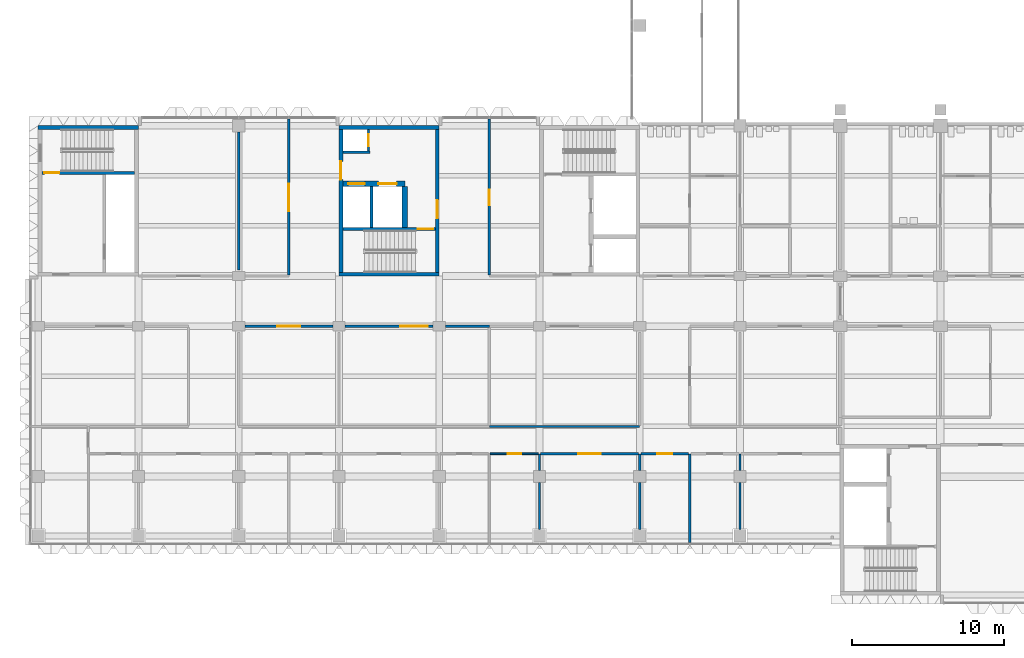
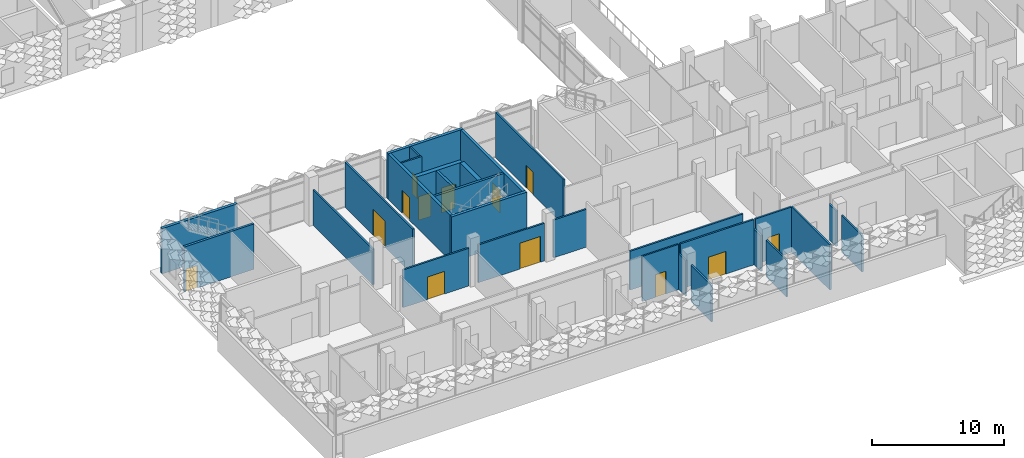
# One storey, part 41 of 102: 29 walls, 14 doors, 14 openings.
"""IFC4 building model written with IfcOpenShell, lengths in metres."""

import ifcopenshell
import ifcopenshell.guid

model = None  # the IFC model being written
_history = None  # IfcOwnerHistory: only IFC2X3 demands one
_inside = {}  # id of a spatial element -> (the spatial element, [elements in it])
_under = {}  # id of a project, library or spatial element -> (it, [spatial elements below it])
_declared = {}  # id of a project -> (the project, [libraries it declares])
_typed = {}  # id of a type object -> (the type object, [elements of that type])
_made_of = {}  # id of a material, layer set ... -> (it, [elements and type objects made of it])


def new_model(schema):
    """Start an empty IFC model of exactly this schema.

    Asked for "IFC4X3", IfcOpenShell would pick the latest addendum, in which some entities
    have other attributes; the version numbers below select the first issue.
    IFC2X3 requires an IfcOwnerHistory on every rooted entity: one is made here for all.
    """
    global model, _history
    if schema == "IFC4X3":
        model = ifcopenshell.file(schema_version=(4, 3, 0, 0))
    else:
        model = ifcopenshell.file(schema=schema)
    _inside.clear()
    _under.clear()
    _declared.clear()
    _typed.clear()
    _made_of.clear()
    _history = None
    if model.schema == "IFC2X3":
        org = make("IfcOrganization", Name="unknown")
        user = make(
            "IfcPersonAndOrganization",
            ThePerson=make("IfcPerson", FamilyName="unknown"),
            TheOrganization=org,
        )
        app = make(
            "IfcApplication",
            ApplicationDeveloper=org,
            Version="unknown",
            ApplicationFullName="unknown",
            ApplicationIdentifier="unknown",
        )
        _history = make(
            "IfcOwnerHistory",
            OwningUser=user,
            OwningApplication=app,
            ChangeAction="ADDED",
            CreationDate=0,
        )
    return model


def make(cls, **values):
    """One entity of the class cls with the attributes given. An attribute that is None is left unset."""
    return model.create_entity(
        cls, **{name: value for name, value in values.items() if value is not None}
    )


def rooted(cls, **values):
    """An entity with a GlobalId (a new one), such as an element, a storey or a relation."""
    return make(cls, GlobalId=ifcopenshell.guid.new(), OwnerHistory=_history, **values)


def si_unit(unit_type, name, prefix=None):
    """IfcSIUnit, for example si_unit("LENGTHUNIT", "METRE", prefix="MILLI")."""
    return make("IfcSIUnit", UnitType=unit_type, Prefix=prefix, Name=name)


def assignment(units):
    """IfcUnitAssignment: the units of a project."""
    return None if units is None else make("IfcUnitAssignment", Units=units)


def point(xyz):
    """IfcCartesianPoint."""
    return None if xyz is None else make("IfcCartesianPoint", Coordinates=xyz)


def direction(xyz):
    """IfcDirection."""
    return None if xyz is None else make("IfcDirection", DirectionRatios=xyz)


def frame(location, z_axis=None, x_axis=None):
    """IfcAxis2Placement3D, a coordinate frame: its origin and axes. An axis left out is left unset."""
    return make(
        "IfcAxis2Placement3D",
        Location=point(location),
        Axis=direction(z_axis),
        RefDirection=direction(x_axis),
    )


def frame_2d(location, x_axis=None):
    """IfcAxis2Placement2D, a coordinate frame in the plane: its origin and x axis."""
    return make(
        "IfcAxis2Placement2D", Location=point(location), RefDirection=direction(x_axis)
    )


def origin():
    """The frame at (0, 0, 0) with its axes left unset."""
    return frame((0.0, 0.0, 0.0))


def place(relative_to, where):
    """IfcLocalPlacement: puts the frame where relative to a parent placement (None: the world)."""
    return make(
        "IfcLocalPlacement", PlacementRelTo=relative_to, RelativePlacement=where
    )


def context(
    kind, dimensions, precision=None, world=None, true_north=None, identifier=None
):
    """IfcGeometricRepresentationContext, for example the 3D "Model" context."""
    return make(
        "IfcGeometricRepresentationContext",
        ContextIdentifier=identifier,
        ContextType=kind,
        CoordinateSpaceDimension=dimensions,
        Precision=precision,
        WorldCoordinateSystem=world,
        TrueNorth=true_north,
    )


def subcontext(parent, identifier, kind, view, scale=None):
    """IfcGeometricRepresentationSubContext, for example "Body" below "Model"."""
    return make(
        "IfcGeometricRepresentationSubContext",
        ContextIdentifier=identifier,
        ContextType=kind,
        ParentContext=parent,
        TargetScale=scale,
        TargetView=view,
    )


def project(units=None, contexts=None):
    """IfcProject with its units and contexts."""
    return rooted(
        "IfcProject",
        Name="project",
        RepresentationContexts=contexts,
        UnitsInContext=assignment(units),
    )


def spatial(cls, under=None, at=None, **own):
    """A site, building, storey or space (cls), placed at a placement, below another one or the project."""
    s = rooted(cls, ObjectPlacement=at, **own)
    if under is not None:
        _under.setdefault(under.id(), (under, []))[1].append(s)
    return s


def profile(cls, at=None, kind="AREA", **sizes):
    """A parametric profile (cls). Its sizes go by their IFC names, for example OverallWidth=200.0."""
    return make(cls, ProfileType=kind, Position=at, **sizes)


def rectangle(**sizes):
    """IfcRectangleProfileDef."""
    return profile("IfcRectangleProfileDef", **sizes)


def extrude(swept, where, along, depth):
    """IfcExtrudedAreaSolid: the profile swept, set in the frame where, extruded along a direction by depth."""
    return make(
        "IfcExtrudedAreaSolid",
        SweptArea=swept,
        Position=where,
        ExtrudedDirection=direction(along),
        Depth=depth,
    )


def shape(context_of_items, identifier, shape_type, items):
    """IfcShapeRepresentation: the items that make up one representation, for example the "Body"."""
    return make(
        "IfcShapeRepresentation",
        ContextOfItems=context_of_items,
        RepresentationIdentifier=identifier,
        RepresentationType=shape_type,
        Items=items,
    )


def material(Name=None, Category=None):
    """IfcMaterial."""
    return make("IfcMaterial", Name=Name, Category=Category)


def layer(
    of_material, thickness, ventilated=None, Name=None, Category=None, Priority=None
):
    """IfcMaterialLayer: one layer of a wall or slab, of a material (None: an air gap)."""
    return make(
        "IfcMaterialLayer",
        Material=of_material,
        LayerThickness=thickness,
        IsVentilated=ventilated,
        Name=Name,
        Category=Category,
        Priority=Priority,
    )


def layer_set(layers, Name=None):
    """IfcMaterialLayerSet."""
    return make("IfcMaterialLayerSet", MaterialLayers=layers, LayerSetName=Name)


def made_of(thing, what):
    """Note that an element or type object is made of a material, layer set ...; save() writes the relation."""
    if what is not None:
        _made_of.setdefault(what.id(), (what, []))[1].append(thing)
    return thing


def type_object(cls, material=None, **own):
    """A type object (cls), such as IfcWallType, which elements share."""
    return made_of(rooted(cls, **own), material)


def element(
    cls,
    number,
    at=None,
    inside=None,
    cuts=None,
    type_object=None,
    material=None,
    context=None,
    identifier="Body",
    shape_type=None,
    held_by="IfcProductDefinitionShape",
    body=None,
    shapes=None,
    **own,
):
    """One element of the class cls, such as IfcWall. Its Tag is "e" and its number.

    at: its placement. inside: the storey or other place that contains it. cuts: it is an
    opening in that element (IfcRelVoidsElement). A single representation is given by context,
    identifier, shape_type and body (its items); several are given by shapes. held_by: the class
    of the entity that holds the representations. save() writes the other relations.
    """
    e = rooted(cls, Tag="e%d" % number, ObjectPlacement=at, **own)
    if body is not None:
        shapes = [shape(context, identifier, shape_type, body)]
    if shapes is not None:
        e.Representation = make(held_by, Representations=shapes)
    if inside is not None:
        _inside.setdefault(inside.id(), (inside, []))[1].append(e)
    if cuts is not None:
        rooted(
            "IfcRelVoidsElement", RelatingBuildingElement=cuts, RelatedOpeningElement=e
        )
    if type_object is not None:
        _typed.setdefault(type_object.id(), (type_object, []))[1].append(e)
    return made_of(e, material)


def fill(opening, filler):
    """IfcRelFillsElement: the door or window that sits in an opening."""
    return rooted(
        "IfcRelFillsElement",
        RelatingOpeningElement=opening,
        RelatedBuildingElement=filler,
    )


def aggregate(whole, parts):
    """IfcRelAggregates: a whole, such as a stair, and the parts it consists of."""
    return rooted("IfcRelAggregates", RelatingObject=whole, RelatedObjects=parts)


def save(model, path):
    """Write the relations noted so far, then the file.

    IfcRelAggregates (storeys below a building ...), IfcRelContainedInSpatialStructure (elements
    in a storey), IfcRelDefinesByType, IfcRelAssociatesMaterial and IfcRelDeclares: one each for
    every whole, place, type object, material and project.
    """
    for whole, parts in _under.values():
        aggregate(whole, parts)
    for where, things in _inside.values():
        rooted(
            "IfcRelContainedInSpatialStructure",
            RelatedElements=things,
            RelatingStructure=where,
        )
    for kind, things in _typed.values():
        rooted("IfcRelDefinesByType", RelatedObjects=things, RelatingType=kind)
    for what, things in _made_of.values():
        rooted("IfcRelAssociatesMaterial", RelatedObjects=things, RelatingMaterial=what)
    for by, libraries in _declared.values():
        rooted("IfcRelDeclares", RelatingContext=by, RelatedDefinitions=libraries)
    model.write(path)


model = new_model("IFC4")

# Units and contexts
model_context = context("Model", 3, precision=1e-05, world=origin(), true_north=direction((0.0, 1.0)))
body_context = subcontext(model_context, "Body", "Model", "MODEL_VIEW")
ifc_project = project(units=[si_unit("LENGTHUNIT", "METRE"), si_unit("AREAUNIT", "SQUARE_METRE"), si_unit("VOLUMEUNIT", "CUBIC_METRE"), si_unit("PLANEANGLEUNIT", "RADIAN"), si_unit("MASSUNIT", "GRAM", prefix="KILO")], contexts=[model_context])

# Site, building, storey
site_placement = place(None, origin())
site = spatial("IfcSite", under=ifc_project, at=site_placement, CompositionType="ELEMENT")
building_placement = place(site_placement, origin())
building = spatial("IfcBuilding", under=site, at=building_placement, Name="Lantern Court Research Institute", CompositionType="ELEMENT")
storey_placement = place(building_placement, frame((0.0, 0.0, 9.89990234375)))
storey = spatial("IfcBuildingStorey", under=building, at=storey_placement, Name="L02", CompositionType="ELEMENT", Elevation=9.89990234375)

# Wall, opening, door
ifc_material_1 = material(Name="Fire-rated gypsum board partition, mineral wool filled")
ifc_layer_1 = layer(ifc_material_1, 0.125)
ifc_layer_set_1 = layer_set([ifc_layer_1], Name="Fire-rated gypsum board partition, mineral wool filled")
wall_type_1 = type_object("IfcWallType", Name="Corridor partition 125 EI 60", PredefinedType="PARTITIONING", material=ifc_layer_set_1)
wall_1_placement = place(storey_placement, frame((32.925048828125, 1.5, 0.0), z_axis=(0.0, 0.0, 1.0), x_axis=(-1.0, 0.0, 0.0)))
wall_1 = element("IfcWall", 1, at=wall_1_placement, inside=storey, type_object=wall_type_1, Name="Corridor partition 125 EI 60", PredefinedType="PARTITIONING", context=body_context, shape_type="SweptSolid", body=[
    extrude(rectangle(XDim=3.170166015625, YDim=0.125, at=frame_2d((1.5849609375, 0.0))), origin(), (0.0, 0.0, 1.0), 4.2001953125),
])
opening_1_placement = place(wall_1_placement, frame((1.125, 0.0, 0.0)))
opening_1 = element("IfcOpeningElement", 2, at=opening_1_placement, cuts=wall_1, Name="Opening D4219", PredefinedType="OPENING", context=body_context, shape_type="SweptSolid", body=[
    extrude(rectangle(XDim=0.89990234375, YDim=2.10009765625, at=frame_2d((0.449951171875, 1.050048828125))), frame((0.0, 0.072509765625, 0.0), z_axis=(0.0, -1.0, 0.0), x_axis=(1.0, 0.0, 0.0)), (0.0, 0.0, 1.0), 0.14501953125),
])
ifc_material_2 = material(Name="Solid-core timber door leaf", Category="wood")
ifc_layer_2 = layer(ifc_material_2, 0.053955078125)
ifc_layer_set_2 = layer_set([ifc_layer_2], Name="Solid-core timber door leaf")
door_type_1 = type_object("IfcDoorType", Name="Office door 900 x 2100 single FD30S", OperationType="NOTDEFINED", PredefinedType="DOOR", material=ifc_layer_set_2)
door_1_placement = place(opening_1_placement, origin())
door_1 = element("IfcDoor", 3, at=door_1_placement, inside=storey, type_object=door_type_1, Name="Door D4219", OperationType="SINGLE_SWING_LEFT", OverallHeight=2.10009765625, OverallWidth=0.89990234375, PredefinedType="DOOR", context=body_context, shape_type="SweptSolid", body=[
    extrude(rectangle(XDim=0.89990234375, YDim=2.10009765625, at=frame_2d((0.449951171875, 1.050048828125))), frame((0.0, 0.02685546875, 0.0), z_axis=(0.0, -1.0, 0.0), x_axis=(1.0, 0.0, 0.0)), (0.0, 0.0, 1.0), 0.053955078125),
])
fill(opening_1, door_1)

ifc_material_3 = material(Name="Fire-rated gypsum board partition, mineral wool filled")
ifc_layer_3 = layer(ifc_material_3, 0.14990234375)
ifc_layer_set_3 = layer_set([ifc_layer_3], Name="Fire-rated gypsum board partition, mineral wool filled")
wall_type_2 = type_object("IfcWallType", Name="Laboratory partition 150 EI 60", PredefinedType="PARTITIONING", material=ifc_layer_set_3)
wall_2_placement = place(storey_placement, frame((13.60009765625, 9.89990234375, 0.0), z_axis=(0.0, 0.0, 1.0), x_axis=(1.0, 0.0, 0.0)))
wall_2 = element("IfcWall", 4, at=wall_2_placement, inside=storey, type_object=wall_type_2, Name="Laboratory partition 150 EI 60", PredefinedType="PARTITIONING", context=body_context, shape_type="SweptSolid", body=[
    extrude(rectangle(XDim=5.7998046875, YDim=0.14990234375, at=frame_2d((2.89990234375, 0.0))), origin(), (0.0, 0.0, 1.0), 3.5),
])
opening_2_placement = place(wall_2_placement, frame((2.14990234375, 0.0, 0.0)))
opening_2 = element("IfcOpeningElement", 5, at=opening_2_placement, cuts=wall_2, Name="Opening D4225", PredefinedType="OPENING", context=body_context, shape_type="SweptSolid", body=[
    extrude(rectangle(XDim=1.5, YDim=2.10009765625, at=frame_2d((0.75, 1.050048828125))), frame((0.0, 0.0849609375, 0.0), z_axis=(0.0, -1.0, 0.0), x_axis=(1.0, 0.0, 0.0)), (0.0, 0.0, 1.0), 0.169921875),
])
ifc_material_4 = material(Name="Solid-core timber door leaf with vision panel", Category="wood")
ifc_layer_4 = layer(ifc_material_4, 0.053955078125)
ifc_layer_set_4 = layer_set([ifc_layer_4], Name="Solid-core timber door leaf with vision panel")
door_type_2 = type_object("IfcDoorType", Name="Laboratory double door 1500 x 2100 pair FD30S", OperationType="DOUBLE_DOOR_SINGLE_SWING", PredefinedType="DOOR", material=ifc_layer_set_4)
door_2_placement = place(opening_2_placement, origin())
door_2 = element("IfcDoor", 6, at=door_2_placement, inside=storey, type_object=door_type_2, Name="Door D4225", OperationType="DOUBLE_DOOR_SINGLE_SWING", OverallHeight=2.10009765625, OverallWidth=1.5, PredefinedType="DOOR", context=body_context, shape_type="SweptSolid", body=[
    extrude(rectangle(XDim=1.5, YDim=2.10009765625, at=frame_2d((0.75, 1.050048828125))), frame((0.0, 0.02685546875, 0.0), z_axis=(0.0, -1.0, 0.0), x_axis=(1.0, 0.0, 0.0)), (0.0, 0.0, 1.0), 0.053955078125),
])
fill(opening_2, door_2)

wall_3_placement = place(storey_placement, frame((20.199951171875, 9.89990234375, 0.0), z_axis=(0.0, 0.0, 1.0), x_axis=(1.0, 0.0, 0.0)))
wall_3 = element("IfcWall", 7, at=wall_3_placement, inside=storey, type_object=wall_type_2, Name="Laboratory partition 150 EI 60", PredefinedType="PARTITIONING", context=body_context, shape_type="SweptSolid", body=[
    extrude(rectangle(XDim=5.800048828125, YDim=0.14990234375, at=frame_2d((2.89990234375, 0.0))), origin(), (0.0, 0.0, 1.0), 3.5),
])
opening_3_placement = place(wall_3_placement, frame((3.64990234375, 0.0, 0.0)))
opening_3 = element("IfcOpeningElement", 8, at=opening_3_placement, cuts=wall_3, Name="Opening D4226", PredefinedType="OPENING", context=body_context, shape_type="SweptSolid", body=[
    extrude(rectangle(XDim=1.800048828125, YDim=2.39990234375, at=frame_2d((0.89990234375, 1.199951171875))), frame((0.0, 0.0849609375, 0.0), z_axis=(0.0, -1.0, 0.0), x_axis=(1.0, 0.0, 0.0)), (0.0, 0.0, 1.0), 0.169921875),
])
ifc_material_5 = material(Name="Solid-core timber door leaf with vision panel", Category="wood")
ifc_layer_5 = layer(ifc_material_5, 0.053955078125)
ifc_layer_set_5 = layer_set([ifc_layer_5], Name="Solid-core timber door leaf with vision panel")
door_type_3 = type_object("IfcDoorType", Name="Laboratory equipment door 1800 x 2400 pair FD30S", OperationType="DOUBLE_DOOR_SINGLE_SWING", PredefinedType="DOOR", material=ifc_layer_set_5)
door_3_placement = place(opening_3_placement, origin())
door_3 = element("IfcDoor", 9, at=door_3_placement, inside=storey, type_object=door_type_3, Name="Door D4226", OperationType="DOUBLE_DOOR_SINGLE_SWING", OverallHeight=2.39990234375, OverallWidth=1.800048828125, PredefinedType="DOOR", context=body_context, shape_type="SweptSolid", body=[
    extrude(rectangle(XDim=1.800048828125, YDim=2.39990234375, at=frame_2d((0.89990234375, 1.199951171875))), frame((0.0, 0.02685546875, 0.0), z_axis=(0.0, -1.0, 0.0), x_axis=(1.0, 0.0, 0.0)), (0.0, 0.0, 1.0), 0.053955078125),
])
fill(opening_3, door_3)

# Walls
wall_4_placement = place(storey_placement, frame((26.800048828125, 9.89990234375, 0.0), z_axis=(0.0, 0.0, 1.0), x_axis=(1.0, 0.0, 0.0)))
element("IfcWall", 10, at=wall_4_placement, inside=storey, type_object=wall_type_2, Name="Laboratory partition 150 EI 60", PredefinedType="PARTITIONING", context=body_context, shape_type="SweptSolid", body=[
    extrude(rectangle(XDim=2.89990234375, YDim=0.14990234375, at=frame_2d((1.449951171875, 0.0))), origin(), (0.0, 0.0, 1.0), 3.5),
])
wall_5_placement = place(storey_placement, frame((13.199951171875, 13.60009765625, 0.0), z_axis=(0.0, 0.0, 1.0), x_axis=(0.0, 1.0, 0.0)))
element("IfcWall", 11, at=wall_5_placement, inside=storey, type_object=wall_type_2, Name="Laboratory partition 150 EI 60", PredefinedType="PARTITIONING", context=body_context, shape_type="SweptSolid", body=[
    extrude(rectangle(XDim=9.099853515625, YDim=0.14990234375, at=frame_2d((4.5498046875, 0.0))), origin(), (0.0, 0.0, 1.0), 3.300048828125),
])

# Wall, opening, door
wall_6_placement = place(storey_placement, frame((16.5, 23.550048828125, 0.0), z_axis=(0.0, 0.0, 1.0), x_axis=(0.0, -1.0, 0.0)))
wall_6 = element("IfcWall", 12, at=wall_6_placement, inside=storey, type_object=wall_type_2, Name="Laboratory partition 150 EI 60", PredefinedType="PARTITIONING", context=body_context, shape_type="SweptSolid", body=[
    extrude(rectangle(XDim=10.275146484375, YDim=0.14990234375, at=frame_2d((5.1376953125, 0.0))), origin(), (0.0, 0.0, 1.0), 4.2001953125),
])
opening_4_placement = place(wall_6_placement, frame((4.27490234375, 0.0, 0.0)))
opening_4 = element("IfcOpeningElement", 13, at=opening_4_placement, cuts=wall_6, Name="Opening D4203", PredefinedType="OPENING", context=body_context, shape_type="SweptSolid", body=[
    extrude(rectangle(XDim=1.800048828125, YDim=2.39990234375, at=frame_2d((0.89990234375, 1.199951171875))), frame((0.0, 0.0849609375, 0.0), z_axis=(0.0, -1.0, 0.0), x_axis=(1.0, 0.0, 0.0)), (0.0, 0.0, 1.0), 0.169921875),
])
door_4_placement = place(opening_4_placement, origin())
door_4 = element("IfcDoor", 14, at=door_4_placement, inside=storey, type_object=door_type_3, Name="Door D4203", OperationType="DOUBLE_DOOR_SINGLE_SWING", OverallHeight=2.39990234375, OverallWidth=1.800048828125, PredefinedType="DOOR", context=body_context, shape_type="SweptSolid", body=[
    extrude(rectangle(XDim=1.800048828125, YDim=2.39990234375, at=frame_2d((0.89990234375, 1.199951171875))), frame((0.0, 0.02685546875, 0.0), z_axis=(0.0, -1.0, 0.0), x_axis=(1.0, 0.0, 0.0)), (0.0, 0.0, 1.0), 0.053955078125),
])
fill(opening_4, door_4)

wall_7_placement = place(storey_placement, frame((29.699951171875, 13.27490234375, 0.0), z_axis=(0.0, 0.0, 1.0), x_axis=(0.0, 1.0, 0.0)))
wall_7 = element("IfcWall", 15, at=wall_7_placement, inside=storey, type_object=wall_type_2, Name="Laboratory partition 150 EI 60", PredefinedType="PARTITIONING", context=body_context, shape_type="SweptSolid", body=[
    extrude(rectangle(XDim=10.275146484375, YDim=0.14990234375, at=frame_2d((5.1376953125, 0.0))), origin(), (0.0, 0.0, 1.0), 4.2001953125),
])
opening_5_placement = place(wall_7_placement, frame((4.60009765625, 0.0, 0.0)))
opening_5 = element("IfcOpeningElement", 16, at=opening_5_placement, cuts=wall_7, Name="Opening D4204", PredefinedType="OPENING", context=body_context, shape_type="SweptSolid", body=[
    extrude(rectangle(XDim=1.0, YDim=2.10009765625, at=frame_2d((0.5, 1.050048828125))), frame((0.0, 0.0849609375, 0.0), z_axis=(0.0, -1.0, 0.0), x_axis=(1.0, 0.0, 0.0)), (0.0, 0.0, 1.0), 0.169921875),
])
ifc_material_6 = material(Name="Solid-core timber door leaf", Category="wood")
ifc_layer_6 = layer(ifc_material_6, 0.053955078125)
ifc_layer_set_6 = layer_set([ifc_layer_6], Name="Solid-core timber door leaf")
door_type_4 = type_object("IfcDoorType", Name="Autoclave room door 1000 x 2100 single FD30S", OperationType="NOTDEFINED", PredefinedType="DOOR", material=ifc_layer_set_6)
door_5_placement = place(opening_5_placement, origin())
door_5 = element("IfcDoor", 17, at=door_5_placement, inside=storey, type_object=door_type_4, Name="Door D4204", OperationType="SINGLE_SWING_LEFT", OverallHeight=2.10009765625, OverallWidth=1.0, PredefinedType="DOOR", context=body_context, shape_type="SweptSolid", body=[
    extrude(rectangle(XDim=1.0, YDim=2.10009765625, at=frame_2d((0.5, 1.050048828125))), frame((0.0, 0.02685546875, 0.0), z_axis=(0.0, -1.0, 0.0), x_axis=(1.0, 0.0, 0.0)), (0.0, 0.0, 1.0), 0.053955078125),
])
fill(opening_5, door_5)

# Walls
wall_8_placement = place(storey_placement, frame((33.0, -3.5, 0.0), z_axis=(0.0, 0.0, 1.0), x_axis=(0.0, 1.0, 0.0)))
element("IfcWall", 18, at=wall_8_placement, inside=storey, type_object=wall_type_2, Name="Laboratory partition 150 EI 60", PredefinedType="PARTITIONING", context=body_context, shape_type="SweptSolid", body=[
    extrude(rectangle(XDim=3.10009765625, YDim=0.14990234375, at=frame_2d((1.550048828125, 0.0))), origin(), (0.0, 0.0, 1.0), 3.400146484375),
])
wall_9_placement = place(storey_placement, frame((33.0, 0.39990234375, 0.0), z_axis=(0.0, 0.0, 1.0), x_axis=(0.0, 1.0, 0.0)))
element("IfcWall", 19, at=wall_9_placement, inside=storey, type_object=wall_type_2, Name="Laboratory partition 150 EI 60", PredefinedType="PARTITIONING", context=body_context, shape_type="SweptSolid", body=[
    extrude(rectangle(XDim=1.10009765625, YDim=0.14990234375, at=frame_2d((0.550048828125, 0.0))), origin(), (0.0, 0.0, 1.0), 3.300048828125),
])
wall_10_placement = place(storey_placement, frame((39.60009765625, -3.5, 0.0), z_axis=(0.0, 0.0, 1.0), x_axis=(0.0, 1.0, 0.0)))
element("IfcWall", 20, at=wall_10_placement, inside=storey, type_object=wall_type_2, Name="Laboratory partition 150 EI 60", PredefinedType="PARTITIONING", context=body_context, shape_type="SweptSolid", body=[
    extrude(rectangle(XDim=3.10009765625, YDim=0.14990234375, at=frame_2d((1.550048828125, 0.0))), origin(), (0.0, 0.0, 1.0), 3.400146484375),
])
wall_11_placement = place(storey_placement, frame((39.60009765625, 0.39990234375, 0.0), z_axis=(0.0, 0.0, 1.0), x_axis=(0.0, 1.0, 0.0)))
element("IfcWall", 21, at=wall_11_placement, inside=storey, type_object=wall_type_2, Name="Laboratory partition 150 EI 60", PredefinedType="PARTITIONING", context=body_context, shape_type="SweptSolid", body=[
    extrude(rectangle(XDim=1.10009765625, YDim=0.14990234375, at=frame_2d((0.550048828125, 0.0))), origin(), (0.0, 0.0, 1.0), 3.300048828125),
])

# Wall, opening, door
wall_12_placement = place(storey_placement, frame((39.52490234375, 1.5, 0.0), z_axis=(0.0, 0.0, 1.0), x_axis=(-1.0, 0.0, 0.0)))
wall_12 = element("IfcWall", 22, at=wall_12_placement, inside=storey, type_object=wall_type_2, Name="Laboratory partition 150 EI 60", PredefinedType="PARTITIONING", context=body_context, shape_type="SweptSolid", body=[
    extrude(rectangle(XDim=6.449951171875, YDim=0.14990234375, at=frame_2d((3.22509765625, 0.0))), origin(), (0.0, 0.0, 1.0), 4.2001953125),
])
opening_6_placement = place(wall_12_placement, frame((2.47509765625, 0.0, 0.0)))
opening_6 = element("IfcOpeningElement", 23, at=opening_6_placement, cuts=wall_12, Name="Opening D4220", PredefinedType="OPENING", context=body_context, shape_type="SweptSolid", body=[
    extrude(rectangle(XDim=1.5, YDim=2.10009765625, at=frame_2d((0.75, 1.050048828125))), frame((0.0, 0.0849609375, 0.0), z_axis=(0.0, -1.0, 0.0), x_axis=(1.0, 0.0, 0.0)), (0.0, 0.0, 1.0), 0.169921875),
])
door_6_placement = place(opening_6_placement, origin())
door_6 = element("IfcDoor", 24, at=door_6_placement, inside=storey, type_object=door_type_2, Name="Door D4220", OperationType="DOUBLE_DOOR_SINGLE_SWING", OverallHeight=2.10009765625, OverallWidth=1.5, PredefinedType="DOOR", context=body_context, shape_type="SweptSolid", body=[
    extrude(rectangle(XDim=1.5, YDim=2.10009765625, at=frame_2d((0.75, 1.050048828125))), frame((0.0, 0.02685546875, 0.0), z_axis=(0.0, -1.0, 0.0), x_axis=(1.0, 0.0, 0.0)), (0.0, 0.0, 1.0), 0.053955078125),
])
fill(opening_6, door_6)

# Wall
wall_13_placement = place(storey_placement, frame((42.89990234375, -4.35009765625, 0.0), z_axis=(0.0, 0.0, 1.0), x_axis=(0.0, 1.0, 0.0)))
element("IfcWall", 25, at=wall_13_placement, inside=storey, type_object=wall_type_2, Name="Laboratory partition 150 EI 60", PredefinedType="PARTITIONING", context=body_context, shape_type="SweptSolid", body=[
    extrude(rectangle(XDim=5.85009765625, YDim=0.14990234375, at=frame_2d((2.925048828125, 0.0))), origin(), (0.0, 0.0, 1.0), 4.2001953125),
])

# Wall, opening, door
wall_14_placement = place(storey_placement, frame((42.824951171875, 1.5, 0.0), z_axis=(0.0, 0.0, 1.0), x_axis=(-1.0, 0.0, 0.0)))
wall_14 = element("IfcWall", 26, at=wall_14_placement, inside=storey, type_object=wall_type_2, Name="Laboratory partition 150 EI 60", PredefinedType="PARTITIONING", context=body_context, shape_type="SweptSolid", body=[
    extrude(rectangle(XDim=3.14990234375, YDim=0.14990234375, at=frame_2d((1.574951171875, 0.0))), origin(), (0.0, 0.0, 1.0), 4.2001953125),
])
opening_7_placement = place(wall_14_placement, frame((1.074951171875, 0.0, 0.0)))
opening_7 = element("IfcOpeningElement", 27, at=opening_7_placement, cuts=wall_14, Name="Opening D4221", PredefinedType="OPENING", context=body_context, shape_type="SweptSolid", body=[
    extrude(rectangle(XDim=1.0, YDim=2.10009765625, at=frame_2d((0.5, 1.050048828125))), frame((0.0, 0.0849609375, 0.0), z_axis=(0.0, -1.0, 0.0), x_axis=(1.0, 0.0, 0.0)), (0.0, 0.0, 1.0), 0.169921875),
])
ifc_material_7 = material(Name="Solid-core timber door leaf with vision panel", Category="wood")
ifc_layer_7 = layer(ifc_material_7, 0.053955078125)
ifc_layer_set_7 = layer_set([ifc_layer_7], Name="Solid-core timber door leaf with vision panel")
door_type_5 = type_object("IfcDoorType", Name="Laboratory door 1000 x 2100 single FD30S", OperationType="NOTDEFINED", PredefinedType="DOOR", material=ifc_layer_set_7)
door_7_placement = place(opening_7_placement, origin())
door_7 = element("IfcDoor", 28, at=door_7_placement, inside=storey, type_object=door_type_5, Name="Door D4221", OperationType="SINGLE_SWING_LEFT", OverallHeight=2.10009765625, OverallWidth=1.0, PredefinedType="DOOR", context=body_context, shape_type="SweptSolid", body=[
    extrude(rectangle(XDim=1.0, YDim=2.10009765625, at=frame_2d((0.5, 1.050048828125))), frame((0.0, 0.02685546875, 0.0), z_axis=(0.0, -1.0, 0.0), x_axis=(1.0, 0.0, 0.0)), (0.0, 0.0, 1.0), 0.053955078125),
])
fill(opening_7, door_7)

# Walls
wall_15_placement = place(storey_placement, frame((46.199951171875, -3.5, 0.0), z_axis=(0.0, 0.0, 1.0), x_axis=(0.0, 1.0, 0.0)))
element("IfcWall", 29, at=wall_15_placement, inside=storey, type_object=wall_type_2, Name="Laboratory partition 150 EI 60", PredefinedType="PARTITIONING", context=body_context, shape_type="SweptSolid", body=[
    extrude(rectangle(XDim=3.10009765625, YDim=0.14990234375, at=frame_2d((1.550048828125, 0.0))), origin(), (0.0, 0.0, 1.0), 3.400146484375),
])
wall_16_placement = place(storey_placement, frame((46.199951171875, 0.39990234375, 0.0), z_axis=(0.0, 0.0, 1.0), x_axis=(0.0, 1.0, 0.0)))
element("IfcWall", 30, at=wall_16_placement, inside=storey, type_object=wall_type_2, Name="Laboratory partition 150 EI 60", PredefinedType="PARTITIONING", context=body_context, shape_type="SweptSolid", body=[
    extrude(rectangle(XDim=1.10009765625, YDim=0.14990234375, at=frame_2d((0.550048828125, 0.0))), origin(), (0.0, 0.0, 1.0), 3.300048828125),
])
wall_17_placement = place(storey_placement, frame((39.60009765625, 3.300048828125, 0.0), z_axis=(0.0, 0.0, 1.0), x_axis=(-1.0, 0.0, 0.0)))
element("IfcWall", 31, at=wall_17_placement, inside=storey, type_object=wall_type_2, Name="Laboratory partition 150 EI 60", PredefinedType="PARTITIONING", context=body_context, shape_type="SweptSolid", body=[
    extrude(rectangle(XDim=9.900146484375, YDim=0.14990234375, at=frame_2d((4.9501953125, 0.0))), origin(), (0.0, 0.0, 1.0), 3.60009765625),
])
ifc_material_8 = material(Name="Concrete C40/50", Category="concrete")
ifc_layer_8 = layer(ifc_material_8, 0.25)
ifc_layer_set_8 = layer_set([ifc_layer_8], Name="Concrete C40/50")
wall_type_3 = type_object("IfcWallType", Name="RC core wall 250", PredefinedType="SHEAR", material=ifc_layer_set_8)
wall_18_placement = place(storey_placement, frame((19.800048828125, 13.324951171875, 0.0), z_axis=(0.0, 0.0, 1.0), x_axis=(1.0, 0.0, 0.0)))
element("IfcWall", 32, at=wall_18_placement, inside=storey, type_object=wall_type_3, Name="South wall of core BC-M", PredefinedType="SHEAR", context=body_context, shape_type="SweptSolid", body=[
    extrude(rectangle(XDim=6.599853515625, YDim=0.25, at=frame_2d((3.2998046875, 0.0))), origin(), (0.0, 0.0, 1.0), 4.2001953125),
])

# Wall, opening, door
wall_19_placement = place(storey_placement, frame((19.925048828125, 13.449951171875, 0.0), z_axis=(0.0, 0.0, 1.0), x_axis=(0.0, 1.0, 0.0)))
wall_19 = element("IfcWall", 33, at=wall_19_placement, inside=storey, type_object=wall_type_3, Name="West wall of core BC-M", PredefinedType="SHEAR", context=body_context, shape_type="SweptSolid", body=[
    extrude(rectangle(XDim=9.400146484375, YDim=0.25, at=frame_2d((4.7001953125, 0.0))), origin(), (0.0, 0.0, 1.0), 4.2001953125),
])
opening_8_placement = place(wall_19_placement, frame((6.10009765625, 0.0, 0.0)))
opening_8 = element("IfcOpeningElement", 34, at=opening_8_placement, cuts=wall_19, Name="Opening D7043", PredefinedType="OPENING", context=body_context, shape_type="SweptSolid", body=[
    extrude(rectangle(XDim=1.199951171875, YDim=2.10009765625, at=frame_2d((0.60009765625, 1.050048828125))), frame((0.0, 0.135009765625, 0.0), z_axis=(0.0, -1.0, 0.0), x_axis=(1.0, 0.0, 0.0)), (0.0, 0.0, 1.0), 0.27001953125),
])
ifc_material_9 = material(Name="Steel fire door leaf with smoke seals", Category="steel")
door_type_6 = type_object("IfcDoorType", Name="Door 1200 x 2100 fire rated FD60S", OperationType="NOTDEFINED", PredefinedType="DOOR", material=ifc_material_9)
door_8_placement = place(opening_8_placement, origin())
door_8 = element("IfcDoor", 35, at=door_8_placement, inside=storey, type_object=door_type_6, Name="Lobby door", OperationType="SINGLE_SWING_LEFT", OverallHeight=2.10009765625, OverallWidth=1.199951171875, PredefinedType="DOOR", context=body_context, shape_type="SweptSolid", body=[
    extrude(rectangle(XDim=1.199951171875, YDim=2.10009765625, at=frame_2d((0.60009765625, 1.050048828125))), frame((0.0, 0.02490234375, 0.0), z_axis=(0.0, -1.0, 0.0), x_axis=(1.0, 0.0, 0.0)), (0.0, 0.0, 1.0), 0.050048828125),
])
fill(opening_8, door_8)

wall_20_placement = place(storey_placement, frame((26.27490234375, 13.449951171875, 0.0), z_axis=(0.0, 0.0, 1.0), x_axis=(0.0, 1.0, 0.0)))
wall_20 = element("IfcWall", 36, at=wall_20_placement, inside=storey, type_object=wall_type_3, Name="East wall of core BC-M", PredefinedType="SHEAR", context=body_context, shape_type="SweptSolid", body=[
    extrude(rectangle(XDim=9.400146484375, YDim=0.25, at=frame_2d((4.7001953125, 0.0))), origin(), (0.0, 0.0, 1.0), 4.2001953125),
])
opening_9_placement = place(wall_20_placement, frame((3.550048828125, 0.0, 0.0)))
opening_9 = element("IfcOpeningElement", 37, at=opening_9_placement, cuts=wall_20, Name="Opening D7042", PredefinedType="OPENING", context=body_context, shape_type="SweptSolid", body=[
    extrude(rectangle(XDim=1.199951171875, YDim=2.10009765625, at=frame_2d((0.60009765625, 1.050048828125))), frame((0.0, 0.135009765625, 0.0), z_axis=(0.0, -1.0, 0.0), x_axis=(1.0, 0.0, 0.0)), (0.0, 0.0, 1.0), 0.27001953125),
])
door_9_placement = place(opening_9_placement, origin())
door_9 = element("IfcDoor", 38, at=door_9_placement, inside=storey, type_object=door_type_6, Name="Lobby door", OperationType="SINGLE_SWING_RIGHT", OverallHeight=2.10009765625, OverallWidth=1.199951171875, PredefinedType="DOOR", context=body_context, shape_type="SweptSolid", body=[
    extrude(rectangle(XDim=1.199951171875, YDim=2.10009765625, at=frame_2d((0.60009765625, 1.050048828125))), frame((0.0, 0.02490234375, 0.0), z_axis=(0.0, -1.0, 0.0), x_axis=(1.0, 0.0, 0.0)), (0.0, 0.0, 1.0), 0.050048828125),
])
fill(opening_9, door_9)

# Walls
ifc_material_10 = material(Name="Concrete C40/50", Category="concrete")
ifc_layer_9 = layer(ifc_material_10, 0.25)
ifc_layer_set_9 = layer_set([ifc_layer_9], Name="Concrete C40/50")
wall_type_4 = type_object("IfcWallType", Name="RC core wall 250 facade", PredefinedType="SHEAR", material=ifc_layer_set_9)
wall_21_placement = place(storey_placement, frame((0.0, 22.97509765625, 0.0), z_axis=(0.0, 0.0, 1.0), x_axis=(1.0, 0.0, 0.0)))
element("IfcWall", 39, at=wall_21_placement, inside=storey, type_object=wall_type_4, Name="North wall of core BC-W", PredefinedType="SHEAR", context=body_context, shape_type="SweptSolid", body=[
    extrude(rectangle(XDim=6.60009765625, YDim=0.25, at=frame_2d((3.300048828125, 0.0))), origin(), (0.0, 0.0, 1.0), 4.2001953125),
])
wall_22_placement = place(storey_placement, frame((19.800048828125, 22.97509765625, 0.0), z_axis=(0.0, 0.0, 1.0), x_axis=(1.0, 0.0, 0.0)))
element("IfcWall", 40, at=wall_22_placement, inside=storey, type_object=wall_type_4, Name="North wall of core BC-M", PredefinedType="SHEAR", context=body_context, shape_type="SweptSolid", body=[
    extrude(rectangle(XDim=6.599853515625, YDim=0.25, at=frame_2d((3.2998046875, 0.0))), origin(), (0.0, 0.0, 1.0), 4.2001953125),
])
ifc_material_11 = material(Name="Concrete C40/50", Category="concrete")
ifc_layer_10 = layer(ifc_material_11, 0.14990234375)
ifc_layer_set_10 = layer_set([ifc_layer_10], Name="Concrete C40/50")
wall_type_5 = type_object("IfcWallType", Name="RC shaft wall 150", PredefinedType="SHEAR", material=ifc_layer_set_10)
wall_23_placement = place(storey_placement, frame((20.050048828125, 21.35009765625, 0.0), z_axis=(0.0, 0.0, 1.0), x_axis=(1.0, 0.0, 0.0)))
element("IfcWall", 41, at=wall_23_placement, inside=storey, type_object=wall_type_5, Name="Riser wall of core BC-M", PredefinedType="SHEAR", context=body_context, shape_type="SweptSolid", body=[
    extrude(rectangle(XDim=1.800048828125, YDim=0.14990234375, at=frame_2d((0.89990234375, 0.0))), origin(), (0.0, 0.0, 1.0), 4.2001953125),
])

# Wall, opening, door
wall_24_placement = place(storey_placement, frame((21.75, 21.449951171875, 0.0), z_axis=(0.0, 0.0, 1.0), x_axis=(0.0, 1.0, 0.0)))
wall_24 = element("IfcWall", 42, at=wall_24_placement, inside=storey, type_object=wall_type_5, Name="Riser wall of core BC-M", PredefinedType="SHEAR", context=body_context, shape_type="SweptSolid", body=[
    extrude(rectangle(XDim=1.400146484375, YDim=0.14990234375, at=frame_2d((0.7001953125, 0.0))), origin(), (0.0, 0.0, 1.0), 4.2001953125),
])
opening_10_placement = place(wall_24_placement, frame((0.300048828125, 0.0, 0.0)))
opening_10 = element("IfcOpeningElement", 43, at=opening_10_placement, cuts=wall_24, Name="Opening D7045", PredefinedType="OPENING", context=body_context, shape_type="SweptSolid", body=[
    extrude(rectangle(XDim=0.800048828125, YDim=2.0, at=frame_2d((0.39990234375, 1.0))), frame((0.0, 0.0849609375, 0.0), z_axis=(0.0, -1.0, 0.0), x_axis=(1.0, 0.0, 0.0)), (0.0, 0.0, 1.0), 0.169921875),
])
ifc_material_12 = material(Name="Steel fire door leaf", Category="steel")
door_type_7 = type_object("IfcDoorType", Name="Door 800 x 2000 fire rated FD60", OperationType="NOTDEFINED", PredefinedType="DOOR", material=ifc_material_12)
door_10_placement = place(opening_10_placement, origin())
door_10 = element("IfcDoor", 44, at=door_10_placement, inside=storey, type_object=door_type_7, Name="Riser door", OperationType="SINGLE_SWING_LEFT", OverallHeight=2.0, OverallWidth=0.800048828125, PredefinedType="DOOR", context=body_context, shape_type="SweptSolid", body=[
    extrude(rectangle(XDim=0.800048828125, YDim=2.0, at=frame_2d((0.39990234375, 1.0))), frame((0.0, 0.02490234375, 0.0), z_axis=(0.0, -1.0, 0.0), x_axis=(1.0, 0.0, 0.0)), (0.0, 0.0, 1.0), 0.050048828125),
])
fill(opening_10, door_10)

ifc_material_13 = material(Name="Concrete C40/50", Category="concrete")
ifc_layer_11 = layer(ifc_material_13, 0.199951171875)
ifc_layer_set_11 = layer_set([ifc_layer_11], Name="Concrete C40/50")
wall_type_6 = type_object("IfcWallType", Name="RC shaft wall 200", PredefinedType="SHEAR", material=ifc_layer_set_11)
wall_25_placement = place(storey_placement, frame((0.25, 20.0, 0.0), z_axis=(0.0, 0.0, 1.0), x_axis=(1.0, 0.0, 0.0)))
wall_25 = element("IfcWall", 45, at=wall_25_placement, inside=storey, type_object=wall_type_6, Name="Stair wall of core BC-W", PredefinedType="SHEAR", context=body_context, shape_type="SweptSolid", body=[
    extrude(rectangle(XDim=6.10009765625, YDim=0.199951171875, at=frame_2d((3.050048828125, 0.0))), origin(), (0.0, 0.0, 1.0), 4.2001953125),
])
opening_11_placement = place(wall_25_placement, frame((0.14990234375, 0.0, 0.0)))
opening_11 = element("IfcOpeningElement", 46, at=opening_11_placement, cuts=wall_25, Name="Opening D7013", PredefinedType="OPENING", context=body_context, shape_type="SweptSolid", body=[
    extrude(rectangle(XDim=1.0, YDim=2.10009765625, at=frame_2d((0.5, 1.050048828125))), frame((0.0, 0.10986328125, 0.0), z_axis=(0.0, -1.0, 0.0), x_axis=(1.0, 0.0, 0.0)), (0.0, 0.0, 1.0), 0.219970703125),
])
ifc_material_14 = material(Name="Steel fire door leaf with smoke seals", Category="steel")
door_type_8 = type_object("IfcDoorType", Name="Door 1000 x 2100 fire rated FD60S", OperationType="NOTDEFINED", PredefinedType="DOOR", material=ifc_material_14)
door_11_placement = place(opening_11_placement, origin())
door_11 = element("IfcDoor", 47, at=door_11_placement, inside=storey, type_object=door_type_8, Name="Stair door", OperationType="SINGLE_SWING_RIGHT", OverallHeight=2.10009765625, OverallWidth=1.0, PredefinedType="DOOR", context=body_context, shape_type="SweptSolid", body=[
    extrude(rectangle(XDim=1.0, YDim=2.10009765625, at=frame_2d((0.5, 1.050048828125))), frame((0.0, 0.02490234375, 0.0), z_axis=(0.0, -1.0, 0.0), x_axis=(1.0, 0.0, 0.0)), (0.0, 0.0, 1.0), 0.050048828125),
])
fill(opening_11, door_11)

wall_26_placement = place(storey_placement, frame((20.050048828125, 16.300048828125, 0.0), z_axis=(0.0, 0.0, 1.0), x_axis=(1.0, 0.0, 0.0)))
wall_26 = element("IfcWall", 48, at=wall_26_placement, inside=storey, type_object=wall_type_6, Name="Stair wall of core BC-M", PredefinedType="SHEAR", context=body_context, shape_type="SweptSolid", body=[
    extrude(rectangle(XDim=6.099853515625, YDim=0.199951171875, at=frame_2d((3.0498046875, 0.0))), origin(), (0.0, 0.0, 1.0), 4.2001953125),
])
opening_12_placement = place(wall_26_placement, frame((4.949951171875, 0.0, 0.0)))
opening_12 = element("IfcOpeningElement", 49, at=opening_12_placement, cuts=wall_26, Name="Opening D7044", PredefinedType="OPENING", context=body_context, shape_type="SweptSolid", body=[
    extrude(rectangle(XDim=1.0, YDim=2.199951171875, at=frame_2d((0.5, 1.10009765625))), frame((0.0, 0.10986328125, 0.0), z_axis=(0.0, -1.0, 0.0), x_axis=(1.0, 0.0, 0.0)), (0.0, 0.0, 1.0), 0.219970703125),
])
ifc_material_15 = material(Name="Steel fire door leaf with smoke seals", Category="steel")
door_type_9 = type_object("IfcDoorType", Name="Door 1000 x 2200 fire rated FD60S", OperationType="NOTDEFINED", PredefinedType="DOOR", material=ifc_material_15)
door_12_placement = place(opening_12_placement, origin())
door_12 = element("IfcDoor", 50, at=door_12_placement, inside=storey, type_object=door_type_9, Name="Stair door", OperationType="SINGLE_SWING_RIGHT", OverallHeight=2.199951171875, OverallWidth=1.0, PredefinedType="DOOR", context=body_context, shape_type="SweptSolid", body=[
    extrude(rectangle(XDim=1.0, YDim=2.199951171875, at=frame_2d((0.5, 1.10009765625))), frame((0.0, 0.02490234375, 0.0), z_axis=(0.0, -1.0, 0.0), x_axis=(1.0, 0.0, 0.0)), (0.0, 0.0, 1.0), 0.050048828125),
])
fill(opening_12, door_12)

# Wall
wall_27_placement = place(storey_placement, frame((21.949951171875, 16.39990234375, 0.0), z_axis=(0.0, 0.0, 1.0), x_axis=(0.0, 1.0, 0.0)))
element("IfcWall", 51, at=wall_27_placement, inside=storey, type_object=wall_type_6, Name="Lift shaft wall of core BC-M", PredefinedType="SHEAR", context=body_context, shape_type="SweptSolid", body=[
    extrude(rectangle(XDim=2.7001953125, YDim=0.199951171875, at=frame_2d((1.35009765625, 0.0))), origin(), (0.0, 0.0, 1.0), 4.2001953125),
])

# Wall, openings, doors
ifc_material_16 = material(Name="Concrete C40/50", Category="concrete")
ifc_layer_12 = layer(ifc_material_16, 0.35009765625)
ifc_layer_set_12 = layer_set([ifc_layer_12], Name="Concrete C40/50")
wall_type_7 = type_object("IfcWallType", Name="RC shaft wall 350", PredefinedType="SHEAR", material=ifc_layer_set_12)
wall_28_placement = place(storey_placement, frame((20.050048828125, 19.27490234375, 0.0), z_axis=(0.0, 0.0, 1.0), x_axis=(1.0, 0.0, 0.0)))
wall_28 = element("IfcWall", 52, at=wall_28_placement, inside=storey, type_object=wall_type_7, Name="Lift shaft wall of core BC-M", PredefinedType="SHEAR", context=body_context, shape_type="SweptSolid", body=[
    extrude(rectangle(XDim=4.099853515625, YDim=0.35009765625, at=frame_2d((2.0498046875, 0.0))), origin(), (0.0, 0.0, 1.0), 4.2001953125),
])
opening_13_placement = place(wall_28_placement, frame((0.35009765625, 0.0, 0.0)))
opening_13 = element("IfcOpeningElement", 53, at=opening_13_placement, cuts=wall_28, Name="Opening D7046", PredefinedType="OPENING", context=body_context, shape_type="SweptSolid", body=[
    extrude(rectangle(XDim=1.10009765625, YDim=2.199951171875, at=frame_2d((0.550048828125, 1.10009765625))), frame((0.0, 0.18505859375, 0.0), z_axis=(0.0, -1.0, 0.0), x_axis=(1.0, 0.0, 0.0)), (0.0, 0.0, 1.0), 0.3701171875),
])
opening_14_placement = place(wall_28_placement, frame((2.35009765625, 0.0, 0.0)))
opening_14 = element("IfcOpeningElement", 54, at=opening_14_placement, cuts=wall_28, Name="Opening D7047", PredefinedType="OPENING", context=body_context, shape_type="SweptSolid", body=[
    extrude(rectangle(XDim=1.199951171875, YDim=2.300048828125, at=frame_2d((0.60009765625, 1.14990234375))), frame((0.0, 0.18505859375, 0.0), z_axis=(0.0, -1.0, 0.0), x_axis=(1.0, 0.0, 0.0)), (0.0, 0.0, 1.0), 0.3701171875),
])
ifc_material_17 = material(Name="Stainless steel landing door panels", Category="steel")
door_type_10 = type_object("IfcDoorType", Name="Lift landing door 1100 x 2200 sliding FD60", OperationType="DOUBLE_DOOR_SLIDING", PredefinedType="NOTDEFINED", material=ifc_material_17)
door_13_placement = place(opening_13_placement, origin())
door_13 = element("IfcDoor", 55, at=door_13_placement, inside=storey, type_object=door_type_10, Name="Landing door", OperationType="DOUBLE_DOOR_SLIDING", OverallHeight=2.199951171875, OverallWidth=1.10009765625, PredefinedType="NOTDEFINED", context=body_context, shape_type="SweptSolid", body=[
    extrude(rectangle(XDim=1.10009765625, YDim=2.199951171875, at=frame_2d((0.550048828125, 1.10009765625))), frame((0.0, 0.02490234375, 0.0), z_axis=(0.0, -1.0, 0.0), x_axis=(1.0, 0.0, 0.0)), (0.0, 0.0, 1.0), 0.050048828125),
])
fill(opening_13, door_13)
ifc_material_18 = material(Name="Stainless steel landing door panels", Category="steel")
door_type_11 = type_object("IfcDoorType", Name="Lift landing door 1200 x 2300 sliding FD60", OperationType="DOUBLE_DOOR_SLIDING", PredefinedType="NOTDEFINED", material=ifc_material_18)
door_14_placement = place(opening_14_placement, origin())
door_14 = element("IfcDoor", 56, at=door_14_placement, inside=storey, type_object=door_type_11, Name="Landing door", OperationType="DOUBLE_DOOR_SLIDING", OverallHeight=2.300048828125, OverallWidth=1.199951171875, PredefinedType="NOTDEFINED", context=body_context, shape_type="SweptSolid", body=[
    extrude(rectangle(XDim=1.199951171875, YDim=2.300048828125, at=frame_2d((0.60009765625, 1.14990234375))), frame((0.0, 0.02490234375, 0.0), z_axis=(0.0, -1.0, 0.0), x_axis=(1.0, 0.0, 0.0)), (0.0, 0.0, 1.0), 0.050048828125),
])
fill(opening_14, door_14)

# Wall
wall_29_placement = place(storey_placement, frame((24.125, 16.39990234375, 0.0), z_axis=(0.0, 0.0, 1.0), x_axis=(0.0, 1.0, 0.0)))
element("IfcWall", 57, at=wall_29_placement, inside=storey, type_object=wall_type_7, Name="Lift shaft wall of core BC-M", PredefinedType="SHEAR", context=body_context, shape_type="SweptSolid", body=[
    extrude(rectangle(XDim=2.7001953125, YDim=0.35009765625, at=frame_2d((1.35009765625, 0.0))), origin(), (0.0, 0.0, 1.0), 4.2001953125),
])

save(model, "model.ifc")
